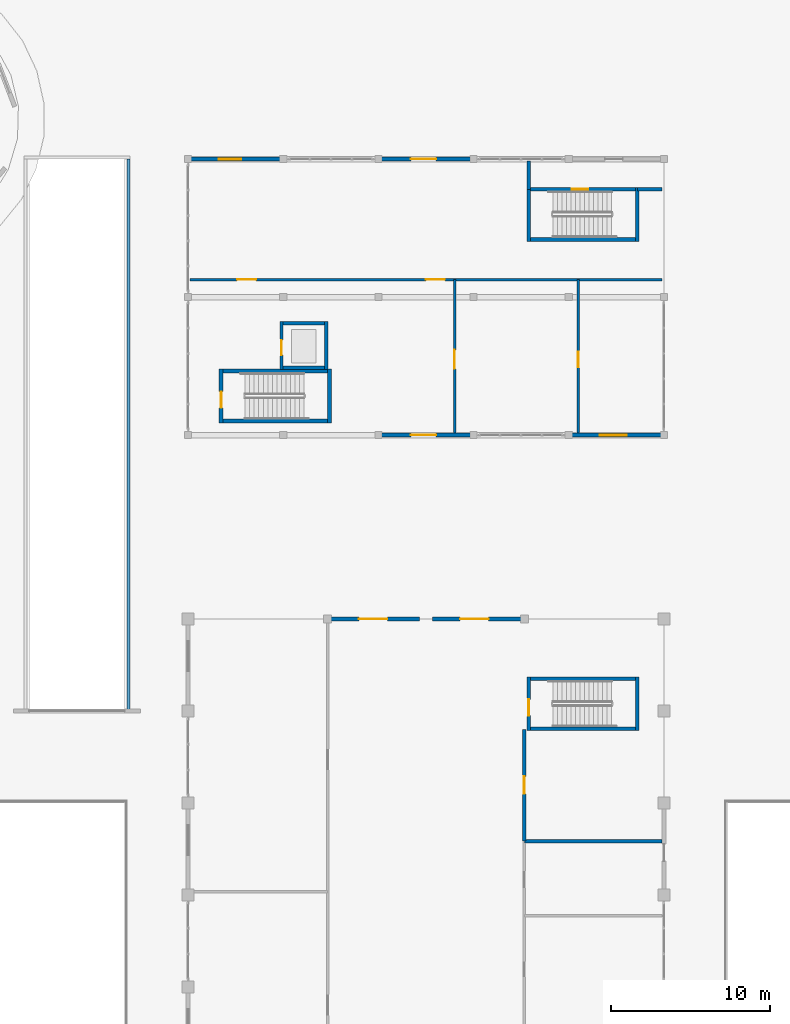
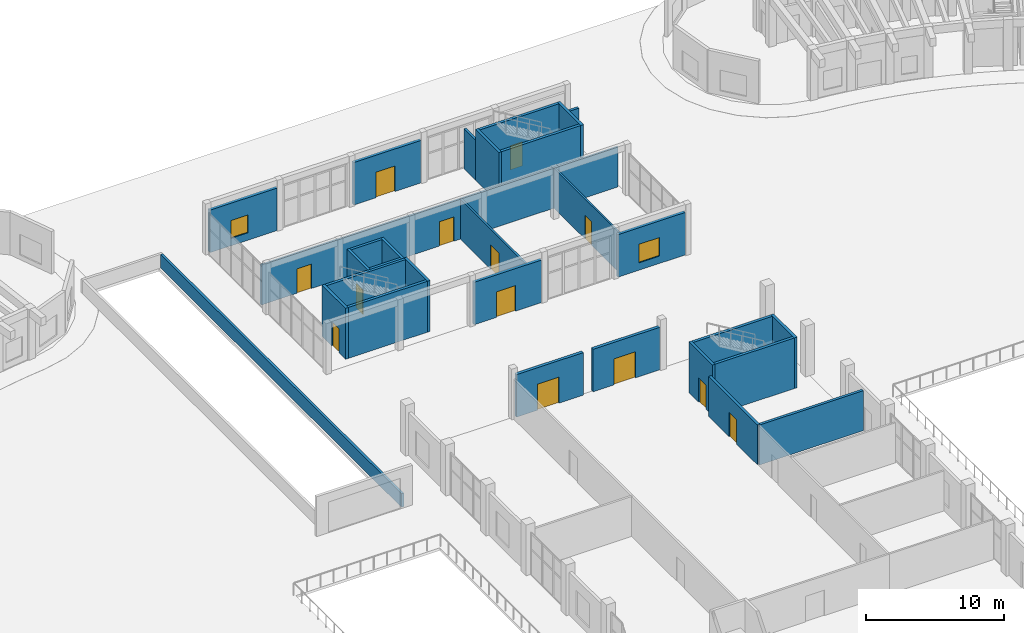
# One storey, part 98 of 132: 30 walls, 13 doors, 2 windows, 15 openings.
"""IFC4 building model written with IfcOpenShell, lengths in metres."""

import ifcopenshell
import ifcopenshell.guid

model = None  # the IFC model being written
_history = None  # IfcOwnerHistory: only IFC2X3 demands one
_inside = {}  # id of a spatial element -> (the spatial element, [elements in it])
_under = {}  # id of a project, library or spatial element -> (it, [spatial elements below it])
_declared = {}  # id of a project -> (the project, [libraries it declares])
_typed = {}  # id of a type object -> (the type object, [elements of that type])
_made_of = {}  # id of a material, layer set ... -> (it, [elements and type objects made of it])


def new_model(schema):
    """Start an empty IFC model of exactly this schema.

    Asked for "IFC4X3", IfcOpenShell would pick the latest addendum, in which some entities
    have other attributes; the version numbers below select the first issue.
    IFC2X3 requires an IfcOwnerHistory on every rooted entity: one is made here for all.
    """
    global model, _history
    if schema == "IFC4X3":
        model = ifcopenshell.file(schema_version=(4, 3, 0, 0))
    else:
        model = ifcopenshell.file(schema=schema)
    _inside.clear()
    _under.clear()
    _declared.clear()
    _typed.clear()
    _made_of.clear()
    _history = None
    if model.schema == "IFC2X3":
        org = make("IfcOrganization", Name="unknown")
        user = make(
            "IfcPersonAndOrganization",
            ThePerson=make("IfcPerson", FamilyName="unknown"),
            TheOrganization=org,
        )
        app = make(
            "IfcApplication",
            ApplicationDeveloper=org,
            Version="unknown",
            ApplicationFullName="unknown",
            ApplicationIdentifier="unknown",
        )
        _history = make(
            "IfcOwnerHistory",
            OwningUser=user,
            OwningApplication=app,
            ChangeAction="ADDED",
            CreationDate=0,
        )
    return model


def make(cls, **values):
    """One entity of the class cls with the attributes given. An attribute that is None is left unset."""
    return model.create_entity(
        cls, **{name: value for name, value in values.items() if value is not None}
    )


def rooted(cls, **values):
    """An entity with a GlobalId (a new one), such as an element, a storey or a relation."""
    return make(cls, GlobalId=ifcopenshell.guid.new(), OwnerHistory=_history, **values)


def si_unit(unit_type, name, prefix=None):
    """IfcSIUnit, for example si_unit("LENGTHUNIT", "METRE", prefix="MILLI")."""
    return make("IfcSIUnit", UnitType=unit_type, Prefix=prefix, Name=name)


def assignment(units):
    """IfcUnitAssignment: the units of a project."""
    return None if units is None else make("IfcUnitAssignment", Units=units)


def point(xyz):
    """IfcCartesianPoint."""
    return None if xyz is None else make("IfcCartesianPoint", Coordinates=xyz)


def direction(xyz):
    """IfcDirection."""
    return None if xyz is None else make("IfcDirection", DirectionRatios=xyz)


def frame(location, z_axis=None, x_axis=None):
    """IfcAxis2Placement3D, a coordinate frame: its origin and axes. An axis left out is left unset."""
    return make(
        "IfcAxis2Placement3D",
        Location=point(location),
        Axis=direction(z_axis),
        RefDirection=direction(x_axis),
    )


def frame_2d(location, x_axis=None):
    """IfcAxis2Placement2D, a coordinate frame in the plane: its origin and x axis."""
    return make(
        "IfcAxis2Placement2D", Location=point(location), RefDirection=direction(x_axis)
    )


def origin():
    """The frame at (0, 0, 0) with its axes left unset."""
    return frame((0.0, 0.0, 0.0))


def place(relative_to, where):
    """IfcLocalPlacement: puts the frame where relative to a parent placement (None: the world)."""
    return make(
        "IfcLocalPlacement", PlacementRelTo=relative_to, RelativePlacement=where
    )


def context(
    kind, dimensions, precision=None, world=None, true_north=None, identifier=None
):
    """IfcGeometricRepresentationContext, for example the 3D "Model" context."""
    return make(
        "IfcGeometricRepresentationContext",
        ContextIdentifier=identifier,
        ContextType=kind,
        CoordinateSpaceDimension=dimensions,
        Precision=precision,
        WorldCoordinateSystem=world,
        TrueNorth=true_north,
    )


def subcontext(parent, identifier, kind, view, scale=None):
    """IfcGeometricRepresentationSubContext, for example "Body" below "Model"."""
    return make(
        "IfcGeometricRepresentationSubContext",
        ContextIdentifier=identifier,
        ContextType=kind,
        ParentContext=parent,
        TargetScale=scale,
        TargetView=view,
    )


def project(units=None, contexts=None):
    """IfcProject with its units and contexts."""
    return rooted(
        "IfcProject",
        Name="project",
        RepresentationContexts=contexts,
        UnitsInContext=assignment(units),
    )


def spatial(cls, under=None, at=None, **own):
    """A site, building, storey or space (cls), placed at a placement, below another one or the project."""
    s = rooted(cls, ObjectPlacement=at, **own)
    if under is not None:
        _under.setdefault(under.id(), (under, []))[1].append(s)
    return s


def profile(cls, at=None, kind="AREA", **sizes):
    """A parametric profile (cls). Its sizes go by their IFC names, for example OverallWidth=200.0."""
    return make(cls, ProfileType=kind, Position=at, **sizes)


def rectangle(**sizes):
    """IfcRectangleProfileDef."""
    return profile("IfcRectangleProfileDef", **sizes)


def extrude(swept, where, along, depth):
    """IfcExtrudedAreaSolid: the profile swept, set in the frame where, extruded along a direction by depth."""
    return make(
        "IfcExtrudedAreaSolid",
        SweptArea=swept,
        Position=where,
        ExtrudedDirection=direction(along),
        Depth=depth,
    )


def shape(context_of_items, identifier, shape_type, items):
    """IfcShapeRepresentation: the items that make up one representation, for example the "Body"."""
    return make(
        "IfcShapeRepresentation",
        ContextOfItems=context_of_items,
        RepresentationIdentifier=identifier,
        RepresentationType=shape_type,
        Items=items,
    )


def material(Name=None, Category=None):
    """IfcMaterial."""
    return make("IfcMaterial", Name=Name, Category=Category)


def layer(
    of_material, thickness, ventilated=None, Name=None, Category=None, Priority=None
):
    """IfcMaterialLayer: one layer of a wall or slab, of a material (None: an air gap)."""
    return make(
        "IfcMaterialLayer",
        Material=of_material,
        LayerThickness=thickness,
        IsVentilated=ventilated,
        Name=Name,
        Category=Category,
        Priority=Priority,
    )


def layer_set(layers, Name=None):
    """IfcMaterialLayerSet."""
    return make("IfcMaterialLayerSet", MaterialLayers=layers, LayerSetName=Name)


def made_of(thing, what):
    """Note that an element or type object is made of a material, layer set ...; save() writes the relation."""
    if what is not None:
        _made_of.setdefault(what.id(), (what, []))[1].append(thing)
    return thing


def type_object(cls, material=None, **own):
    """A type object (cls), such as IfcWallType, which elements share."""
    return made_of(rooted(cls, **own), material)


def element(
    cls,
    number,
    at=None,
    inside=None,
    cuts=None,
    type_object=None,
    material=None,
    context=None,
    identifier="Body",
    shape_type=None,
    held_by="IfcProductDefinitionShape",
    body=None,
    shapes=None,
    **own,
):
    """One element of the class cls, such as IfcWall. Its Tag is "e" and its number.

    at: its placement. inside: the storey or other place that contains it. cuts: it is an
    opening in that element (IfcRelVoidsElement). A single representation is given by context,
    identifier, shape_type and body (its items); several are given by shapes. held_by: the class
    of the entity that holds the representations. save() writes the other relations.
    """
    e = rooted(cls, Tag="e%d" % number, ObjectPlacement=at, **own)
    if body is not None:
        shapes = [shape(context, identifier, shape_type, body)]
    if shapes is not None:
        e.Representation = make(held_by, Representations=shapes)
    if inside is not None:
        _inside.setdefault(inside.id(), (inside, []))[1].append(e)
    if cuts is not None:
        rooted(
            "IfcRelVoidsElement", RelatingBuildingElement=cuts, RelatedOpeningElement=e
        )
    if type_object is not None:
        _typed.setdefault(type_object.id(), (type_object, []))[1].append(e)
    return made_of(e, material)


def fill(opening, filler):
    """IfcRelFillsElement: the door or window that sits in an opening."""
    return rooted(
        "IfcRelFillsElement",
        RelatingOpeningElement=opening,
        RelatedBuildingElement=filler,
    )


def aggregate(whole, parts):
    """IfcRelAggregates: a whole, such as a stair, and the parts it consists of."""
    return rooted("IfcRelAggregates", RelatingObject=whole, RelatedObjects=parts)


def save(model, path):
    """Write the relations noted so far, then the file.

    IfcRelAggregates (storeys below a building ...), IfcRelContainedInSpatialStructure (elements
    in a storey), IfcRelDefinesByType, IfcRelAssociatesMaterial and IfcRelDeclares: one each for
    every whole, place, type object, material and project.
    """
    for whole, parts in _under.values():
        aggregate(whole, parts)
    for where, things in _inside.values():
        rooted(
            "IfcRelContainedInSpatialStructure",
            RelatedElements=things,
            RelatingStructure=where,
        )
    for kind, things in _typed.values():
        rooted("IfcRelDefinesByType", RelatedObjects=things, RelatingType=kind)
    for what, things in _made_of.values():
        rooted("IfcRelAssociatesMaterial", RelatedObjects=things, RelatingMaterial=what)
    for by, libraries in _declared.values():
        rooted("IfcRelDeclares", RelatingContext=by, RelatedDefinitions=libraries)
    model.write(path)


model = new_model("IFC4")

# Units and contexts
model_context = context("Model", 3, precision=1e-05, world=origin(), true_north=direction((0.0, 1.0)))
body_context = subcontext(model_context, "Body", "Model", "MODEL_VIEW")
ifc_project = project(units=[si_unit("LENGTHUNIT", "METRE"), si_unit("AREAUNIT", "SQUARE_METRE"), si_unit("VOLUMEUNIT", "CUBIC_METRE"), si_unit("PLANEANGLEUNIT", "RADIAN"), si_unit("MASSUNIT", "GRAM", prefix="KILO")], contexts=[model_context])

# Site, building, storey
site_placement = place(None, origin())
site = spatial("IfcSite", under=ifc_project, at=site_placement, CompositionType="ELEMENT")
building_placement = place(site_placement, origin())
building = spatial("IfcBuilding", under=site, at=building_placement, Name="Tanwirah Colonnade Gardens", CompositionType="ELEMENT")
storey_placement = place(building_placement, origin())
storey = spatial("IfcBuildingStorey", under=building, at=storey_placement, Name="L00", CompositionType="ELEMENT", Elevation=0.0)

# Wall
ifc_material_1 = material(Name="Limestone architectural precast concrete C40/50", Category="masonry")
ifc_layer_1 = layer(ifc_material_1, 0.199951171875)
ifc_layer_set_1 = layer_set([ifc_layer_1], Name="Limestone architectural precast concrete C40/50")
wall_type_1 = type_object("IfcWallType", Name="EW-PAR200", PredefinedType="PARAPET", material=ifc_layer_set_1)
wall_1_placement = place(storey_placement, frame((74.25, 74.60009765625, 0.0), z_axis=(0.0, 0.0, 1.0), x_axis=(0.0, 1.0, 0.0)))
element("IfcWall", 1, at=wall_1_placement, inside=storey, type_object=wall_type_1, Name="Basement Ramp Kerb Guard Wall E", PredefinedType="PARAPET", context=body_context, shape_type="SweptSolid", body=[
    extrude(rectangle(XDim=34.7998046875, YDim=0.199951171875, at=frame_2d((17.39990234375, 0.0))), origin(), (0.0, 0.0, 1.0), 1.199951171875),
])

# Wall, opening, door
ifc_layer_2 = layer(ifc_material_1, 0.25)
ifc_layer_set_2 = layer_set([ifc_layer_2], Name="Limestone architectural precast concrete C40/50")
wall_type_2 = type_object("IfcWallType", Name="EW-PAV250", PredefinedType="SOLIDWALL", material=ifc_layer_set_2)
wall_2_placement = place(storey_placement, frame((87.02001953125, 80.39990234375, 0.0), z_axis=(0.0, 0.0, 1.0), x_axis=(1.0, 0.0, 0.0)))
wall_2 = element("IfcWall", 2, at=wall_2_placement, inside=storey, type_object=wall_type_2, Name="Community Hall N Portico Wall 1", PredefinedType="SOLIDWALL", context=body_context, shape_type="SweptSolid", body=[
    extrude(rectangle(XDim=5.580078125, YDim=0.25, at=frame_2d((2.7900390625, 0.0))), origin(), (0.0, 0.0, 1.0), 3.75),
])
opening_1_placement = place(wall_2_placement, frame((1.75, 0.0, 0.0)))
opening_1 = element("IfcOpeningElement", 3, at=opening_1_placement, cuts=wall_2, Name="Opening L00-ED219", PredefinedType="OPENING", context=body_context, shape_type="SweptSolid", body=[
    extrude(rectangle(XDim=1.800048828125, YDim=2.300048828125, at=frame_2d((0.89990234375, 1.14990234375))), frame((0.0, 0.135009765625, 0.0), z_axis=(0.0, -1.0, 0.0), x_axis=(1.0, 0.0, 0.0)), (0.0, 0.0, 1.0), 0.27001953125),
])
ifc_material_2 = material(Name="Bronze architectural aluminium and safety glass", Category="aluminium")
door_type_1 = type_object("IfcDoorType", Name="ED-ENT18", OperationType="DOUBLE_DOOR_SINGLE_SWING", PredefinedType="DOOR", material=ifc_material_2)
door_1_placement = place(opening_1_placement, origin())
door_1 = element("IfcDoor", 4, at=door_1_placement, inside=storey, type_object=door_type_1, Name="Community Hall Main Entrance L00-ED219", OperationType="DOUBLE_DOOR_SINGLE_SWING", OverallHeight=2.300048828125, OverallWidth=1.800048828125, PredefinedType="DOOR", context=body_context, shape_type="SweptSolid", body=[
    extrude(rectangle(XDim=1.800048828125, YDim=2.300048828125, at=frame_2d((0.89990234375, 1.14990234375))), frame((0.0, 0.02490234375, 0.0), z_axis=(0.0, -1.0, 0.0), x_axis=(1.0, 0.0, 0.0)), (0.0, 0.0, 1.0), 0.050048828125),
])
fill(opening_1, door_1)

wall_3_placement = place(storey_placement, frame((93.39990234375, 80.39990234375, 0.0), z_axis=(0.0, 0.0, 1.0), x_axis=(1.0, 0.0, 0.0)))
wall_3 = element("IfcWall", 5, at=wall_3_placement, inside=storey, type_object=wall_type_2, Name="Community Hall N Portico Wall 2", PredefinedType="SOLIDWALL", context=body_context, shape_type="SweptSolid", body=[
    extrude(rectangle(XDim=5.580078125, YDim=0.25, at=frame_2d((2.7900390625, 0.0))), origin(), (0.0, 0.0, 1.0), 3.75),
])
opening_2_placement = place(wall_3_placement, frame((1.75, 0.0, 0.0)))
opening_2 = element("IfcOpeningElement", 6, at=opening_2_placement, cuts=wall_3, Name="Opening L00-ED220", PredefinedType="OPENING", context=body_context, shape_type="SweptSolid", body=[
    extrude(rectangle(XDim=1.800048828125, YDim=2.300048828125, at=frame_2d((0.89990234375, 1.14990234375))), frame((0.0, 0.135009765625, 0.0), z_axis=(0.0, -1.0, 0.0), x_axis=(1.0, 0.0, 0.0)), (0.0, 0.0, 1.0), 0.27001953125),
])
door_2_placement = place(opening_2_placement, origin())
door_2 = element("IfcDoor", 7, at=door_2_placement, inside=storey, type_object=door_type_1, Name="Community Hall Main Entrance L00-ED220", OperationType="DOUBLE_DOOR_SINGLE_SWING", OverallHeight=2.300048828125, OverallWidth=1.800048828125, PredefinedType="DOOR", context=body_context, shape_type="SweptSolid", body=[
    extrude(rectangle(XDim=1.800048828125, YDim=2.300048828125, at=frame_2d((0.89990234375, 1.14990234375))), frame((0.0, 0.02490234375, 0.0), z_axis=(0.0, -1.0, 0.0), x_axis=(1.0, 0.0, 0.0)), (0.0, 0.0, 1.0), 0.050048828125),
])
fill(opening_2, door_2)

ifc_layer_3 = layer(ifc_material_1, 0.239990234375)
ifc_layer_set_3 = layer_set([ifc_layer_3], Name="Limestone architectural precast concrete C40/50")
wall_type_3 = type_object("IfcWallType", Name="EW-PC240", PredefinedType="SOLIDWALL", material=ifc_layer_set_3)
wall_4_placement = place(storey_placement, frame((90.195068359375, 92.0, 0.0), z_axis=(0.0, 0.0, 1.0), x_axis=(1.0, 0.0, 0.0)))
wall_4 = element("IfcWall", 8, at=wall_4_placement, inside=storey, type_object=wall_type_3, Name="Nursery L00 S Wall 2", PredefinedType="SOLIDWALL", context=body_context, shape_type="SweptSolid", body=[
    extrude(rectangle(XDim=5.60986328125, YDim=0.239990234375, at=frame_2d((2.804931640625, 0.0))), origin(), (0.0, 0.0, 1.0), 3.75),
])
opening_3_placement = place(wall_4_placement, frame((1.85009765625, 0.0, 0.0)))
opening_3 = element("IfcOpeningElement", 9, at=opening_3_placement, cuts=wall_4, Name="Opening L00-ED221", PredefinedType="OPENING", context=body_context, shape_type="SweptSolid", body=[
    extrude(rectangle(XDim=1.60009765625, YDim=2.25, at=frame_2d((0.800048828125, 1.125))), frame((0.0, 0.1298828125, 0.0), z_axis=(0.0, -1.0, 0.0), x_axis=(1.0, 0.0, 0.0)), (0.0, 0.0, 1.0), 0.260009765625),
])
door_type_2 = type_object("IfcDoorType", Name="ED-ENT16", OperationType="DOUBLE_DOOR_SINGLE_SWING", PredefinedType="DOOR", material=ifc_material_2)
door_3_placement = place(opening_3_placement, origin())
door_3 = element("IfcDoor", 10, at=door_3_placement, inside=storey, type_object=door_type_2, Name="Nursery Entrance Door L00-ED221", OperationType="DOUBLE_DOOR_SINGLE_SWING", OverallHeight=2.25, OverallWidth=1.60009765625, PredefinedType="DOOR", context=body_context, shape_type="SweptSolid", body=[
    extrude(rectangle(XDim=1.60009765625, YDim=2.25, at=frame_2d((0.800048828125, 1.125))), frame((0.0, 0.02490234375, 0.0), z_axis=(0.0, -1.0, 0.0), x_axis=(1.0, 0.0, 0.0)), (0.0, 0.0, 1.0), 0.050048828125),
])
fill(opening_3, door_3)

# Wall, opening, window
wall_5_placement = place(storey_placement, frame((102.195068359375, 92.0, 0.0), z_axis=(0.0, 0.0, 1.0), x_axis=(1.0, 0.0, 0.0)))
wall_5 = element("IfcWall", 11, at=wall_5_placement, inside=storey, type_object=wall_type_3, Name="Nursery L00 S Wall 4", PredefinedType="SOLIDWALL", context=body_context, shape_type="SweptSolid", body=[
    extrude(rectangle(XDim=5.60986328125, YDim=0.239990234375, at=frame_2d((2.804931640625, 0.0))), origin(), (0.0, 0.0, 1.0), 3.75),
])
opening_4_placement = place(wall_5_placement, frame((1.75, 0.0, 0.64990234375)))
opening_4 = element("IfcOpeningElement", 12, at=opening_4_placement, cuts=wall_5, Name="Opening WIN-NUR2", PredefinedType="OPENING", context=body_context, shape_type="SweptSolid", body=[
    extrude(rectangle(XDim=1.719970703125, YDim=1.639892578125, at=frame_2d((0.85986328125, 0.81982421875))), frame((0.0, 0.1298828125, 0.0), z_axis=(0.0, -1.0, 0.0), x_axis=(1.0, 0.0, 0.0)), (0.0, 0.0, 1.0), 0.260009765625),
])
ifc_material_3 = material(Name="Thermally broken bronze aluminium and solar low-E double glazing", Category="aluminium")
window_type_1 = type_object("IfcWindowType", Name="WIN-NUR2", PartitioningType="DOUBLE_PANEL_VERTICAL", PredefinedType="WINDOW", material=ifc_material_3)
window_1_placement = place(opening_4_placement, origin())
window_1 = element("IfcWindow", 13, at=window_1_placement, inside=storey, type_object=window_type_1, Name="Nursery Window S-4", OverallHeight=1.639892578125, OverallWidth=1.719970703125, PartitioningType="SINGLE_PANEL", PredefinedType="WINDOW", context=body_context, shape_type="SweptSolid", body=[
    extrude(rectangle(XDim=1.719970703125, YDim=1.639892578125, at=frame_2d((0.85986328125, 0.81982421875))), frame((0.0, 0.030029296875, 0.0), z_axis=(0.0, -1.0, 0.0), x_axis=(1.0, 0.0, 0.0)), (0.0, 0.0, 1.0), 0.06005859375),
])
fill(opening_4, window_1)

wall_6_placement = place(storey_placement, frame((78.195068359375, 109.39990234375, 0.0), z_axis=(0.0, 0.0, 1.0), x_axis=(1.0, 0.0, 0.0)))
wall_6 = element("IfcWall", 14, at=wall_6_placement, inside=storey, type_object=wall_type_3, Name="Nursery L00 N Wall 0", PredefinedType="SOLIDWALL", context=body_context, shape_type="SweptSolid", body=[
    extrude(rectangle(XDim=5.60986328125, YDim=0.239990234375, at=frame_2d((2.804931640625, 0.0))), origin(), (0.0, 0.0, 1.0), 3.75),
])
opening_5_placement = place(wall_6_placement, frame((1.75, 0.0, 0.64990234375)))
opening_5 = element("IfcOpeningElement", 15, at=opening_5_placement, cuts=wall_6, Name="Opening WIN-NUR1", PredefinedType="OPENING", context=body_context, shape_type="SweptSolid", body=[
    extrude(rectangle(XDim=1.419921875, YDim=1.580078125, at=frame_2d((0.7099609375, 0.7900390625))), frame((0.0, 0.1298828125, 0.0), z_axis=(0.0, -1.0, 0.0), x_axis=(1.0, 0.0, 0.0)), (0.0, 0.0, 1.0), 0.260009765625),
])
window_type_2 = type_object("IfcWindowType", Name="WIN-NUR1", PartitioningType="DOUBLE_PANEL_VERTICAL", PredefinedType="WINDOW", material=ifc_material_3)
window_2_placement = place(opening_5_placement, origin())
window_2 = element("IfcWindow", 16, at=window_2_placement, inside=storey, type_object=window_type_2, Name="Nursery Window N-0", OverallHeight=1.580078125, OverallWidth=1.419921875, PartitioningType="SINGLE_PANEL", PredefinedType="WINDOW", context=body_context, shape_type="SweptSolid", body=[
    extrude(rectangle(XDim=1.419921875, YDim=1.580078125, at=frame_2d((0.7099609375, 0.7900390625))), frame((0.0, 0.030029296875, 0.0), z_axis=(0.0, -1.0, 0.0), x_axis=(1.0, 0.0, 0.0)), (0.0, 0.0, 1.0), 0.06005859375),
])
fill(opening_5, window_2)

# Wall, opening, door
wall_7_placement = place(storey_placement, frame((90.195068359375, 109.39990234375, 0.0), z_axis=(0.0, 0.0, 1.0), x_axis=(1.0, 0.0, 0.0)))
wall_7 = element("IfcWall", 17, at=wall_7_placement, inside=storey, type_object=wall_type_3, Name="Nursery L00 N Wall 2", PredefinedType="SOLIDWALL", context=body_context, shape_type="SweptSolid", body=[
    extrude(rectangle(XDim=5.60986328125, YDim=0.239990234375, at=frame_2d((2.804931640625, 0.0))), origin(), (0.0, 0.0, 1.0), 3.75),
])
opening_6_placement = place(wall_7_placement, frame((1.85009765625, 0.0, 0.0)))
opening_6 = element("IfcOpeningElement", 18, at=opening_6_placement, cuts=wall_7, Name="Opening L00-ED222", PredefinedType="OPENING", context=body_context, shape_type="SweptSolid", body=[
    extrude(rectangle(XDim=1.60009765625, YDim=2.25, at=frame_2d((0.800048828125, 1.125))), frame((0.0, 0.1298828125, 0.0), z_axis=(0.0, -1.0, 0.0), x_axis=(1.0, 0.0, 0.0)), (0.0, 0.0, 1.0), 0.260009765625),
])
door_4_placement = place(opening_6_placement, origin())
door_4 = element("IfcDoor", 19, at=door_4_placement, inside=storey, type_object=door_type_2, Name="Nursery Entrance Door L00-ED222", OperationType="DOUBLE_DOOR_SINGLE_SWING", OverallHeight=2.25, OverallWidth=1.60009765625, PredefinedType="DOOR", context=body_context, shape_type="SweptSolid", body=[
    extrude(rectangle(XDim=1.60009765625, YDim=2.25, at=frame_2d((0.800048828125, 1.125))), frame((0.0, 0.02490234375, 0.0), z_axis=(0.0, -1.0, 0.0), x_axis=(1.0, 0.0, 0.0)), (0.0, 0.0, 1.0), 0.050048828125),
])
fill(opening_6, door_4)

# Walls
ifc_material_4 = material(Name="Precast concrete C40/50", Category="concrete")
ifc_layer_4 = layer(ifc_material_4, 0.205078125)
ifc_layer_set_4 = layer_set([ifc_layer_4], Name="Precast concrete C40/50")
wall_type_4 = type_object("IfcWallType", Name="IW-CORR205", PredefinedType="PARTITIONING", material=ifc_layer_set_4)
wall_8_placement = place(storey_placement, frame((99.47998046875, 107.489990234375, 0.0), z_axis=(0.0, 0.0, 1.0), x_axis=(0.0, 1.0, 0.0)))
element("IfcWall", 20, at=wall_8_placement, inside=storey, type_object=wall_type_4, Name="Interior Partition IW-NUR-EXIT-W", PredefinedType="PARTITIONING", context=body_context, shape_type="SweptSolid", body=[
    extrude(rectangle(XDim=1.7900390625, YDim=0.205078125, at=frame_2d((0.89501953125, 0.0))), origin(), (0.0, 0.0, 1.0), 3.52001953125),
])
wall_9_placement = place(storey_placement, frame((106.320068359375, 107.489990234375, 0.0), z_axis=(0.0, 0.0, 1.0), x_axis=(1.0, 0.0, 0.0)))
element("IfcWall", 21, at=wall_9_placement, inside=storey, type_object=wall_type_4, Name="Interior Partition IW-NUR-EXIT-E", PredefinedType="PARTITIONING", context=body_context, shape_type="SweptSolid", body=[
    extrude(rectangle(XDim=1.559814453125, YDim=0.205078125, at=frame_2d((0.77978515625, 0.0))), origin(), (0.0, 0.0, 1.0), 3.52001953125),
])

# Wall, opening, door
ifc_material_5 = material(Name="Autoclaved aerated masonry blockwork", Category="masonry")
ifc_layer_5 = layer(ifc_material_5, 0.219970703125)
ifc_layer_set_5 = layer_set([ifc_layer_5], Name="Autoclaved aerated masonry blockwork")
wall_type_5 = type_object("IfcWallType", Name="IW-FFL220", PredefinedType="PARTITIONING", material=ifc_layer_set_5)
wall_10_placement = place(storey_placement, frame((99.199951171875, 66.39990234375, 0.0), z_axis=(0.0, 0.0, 1.0), x_axis=(0.0, 1.0, 0.0)))
wall_10 = element("IfcWall", 22, at=wall_10_placement, inside=storey, type_object=wall_type_5, Name="Interior Partition IW-HALL-SPINE-FCC", PredefinedType="PARTITIONING", context=body_context, shape_type="SweptSolid", body=[
    extrude(rectangle(XDim=7.050048828125, YDim=0.219970703125, at=frame_2d((3.52490234375, 0.0))), origin(), (0.0, 0.0, 1.0), 3.52001953125),
])
opening_7_placement = place(wall_10_placement, frame((2.97509765625, 0.0, 0.0)))
opening_7 = element("IfcOpeningElement", 23, at=opening_7_placement, cuts=wall_10, Name="Opening L00-VD1955", PredefinedType="OPENING", context=body_context, shape_type="SweptSolid", body=[
    extrude(rectangle(XDim=1.10009765625, YDim=2.14990234375, at=frame_2d((0.550048828125, 1.074951171875))), frame((0.0, 0.119873046875, 0.0), z_axis=(0.0, -1.0, 0.0), x_axis=(1.0, 0.0, 0.0)), (0.0, 0.0, 1.0), 0.239990234375),
])
ifc_material_6 = material(Name="Galvanized steel plant room fire door", Category="steel")
door_type_3 = type_object("IfcDoorType", Name="ID-PLT11", OperationType="NOTDEFINED", PredefinedType="DOOR", material=ifc_material_6)
door_5_placement = place(opening_7_placement, origin())
door_5 = element("IfcDoor", 24, at=door_5_placement, inside=storey, type_object=door_type_3, Name="Civic interior door L00-VD1955", OperationType="SINGLE_SWING_LEFT", OverallHeight=2.14990234375, OverallWidth=1.10009765625, PredefinedType="DOOR", context=body_context, shape_type="SweptSolid", body=[
    extrude(rectangle(XDim=1.10009765625, YDim=2.14990234375, at=frame_2d((0.550048828125, 1.074951171875))), frame((0.0, 0.02490234375, 0.0), z_axis=(0.0, -1.0, 0.0), x_axis=(1.0, 0.0, 0.0)), (0.0, 0.0, 1.0), 0.050048828125),
])
fill(opening_7, door_5)

# Wall
wall_11_placement = place(storey_placement, frame((99.199951171875, 66.39990234375, 0.0), z_axis=(0.0, 0.0, 1.0), x_axis=(1.0, 0.0, 0.0)))
element("IfcWall", 25, at=wall_11_placement, inside=storey, type_object=wall_type_5, Name="Interior Partition IW-HALL-FCC", PredefinedType="PARTITIONING", context=body_context, shape_type="SweptSolid", body=[
    extrude(rectangle(XDim=8.679931640625, YDim=0.219970703125, at=frame_2d((4.33984375, 0.0))), origin(), (0.0, 0.0, 1.0), 3.52001953125),
])

# Wall, openings, doors
ifc_material_7 = material(Name="Fire-rated acoustic blockwork partition", Category="masonry")
ifc_layer_6 = layer(ifc_material_7, 0.159912109375)
ifc_layer_set_6 = layer_set([ifc_layer_6], Name="Fire-rated acoustic blockwork partition")
wall_type_6 = type_object("IfcWallType", Name="IW-PAV160", PredefinedType="PARTITIONING", material=ifc_layer_set_6)
wall_12_placement = place(storey_placement, frame((78.1201171875, 101.800048828125, 0.0), z_axis=(0.0, 0.0, 1.0), x_axis=(1.0, 0.0, 0.0)))
wall_12 = element("IfcWall", 26, at=wall_12_placement, inside=storey, type_object=wall_type_6, Name="Interior Partition IW-NUR-SPINE0", PredefinedType="PARTITIONING", context=body_context, shape_type="SweptSolid", body=[
    extrude(rectangle(XDim=29.759765625, YDim=0.159912109375, at=frame_2d((14.8798828125, 0.0))), origin(), (0.0, 0.0, 1.0), 3.52001953125),
])
opening_8_placement = place(wall_12_placement, frame((2.97119140625, 0.0, 0.0)))
opening_8 = element("IfcOpeningElement", 27, at=opening_8_placement, cuts=wall_12, Name="Opening L00-VD1960", PredefinedType="OPENING", context=body_context, shape_type="SweptSolid", body=[
    extrude(rectangle(XDim=1.199951171875, YDim=2.14990234375, at=frame_2d((0.60009765625, 1.074951171875))), frame((0.0, 0.08984375, 0.0), z_axis=(0.0, -1.0, 0.0), x_axis=(1.0, 0.0, 0.0)), (0.0, 0.0, 1.0), 0.179931640625),
])
opening_9_placement = place(wall_12_placement, frame((14.875244140625, 0.0, 0.0)))
opening_9 = element("IfcOpeningElement", 28, at=opening_9_placement, cuts=wall_12, Name="Opening L00-VD1961", PredefinedType="OPENING", context=body_context, shape_type="SweptSolid", body=[
    extrude(rectangle(XDim=1.199951171875, YDim=2.14990234375, at=frame_2d((0.60009765625, 1.074951171875))), frame((0.0, 0.08984375, 0.0), z_axis=(0.0, -1.0, 0.0), x_axis=(1.0, 0.0, 0.0)), (0.0, 0.0, 1.0), 0.179931640625),
])
ifc_material_8 = material(Name="Acoustic classroom vision-panel door")
door_type_4 = type_object("IfcDoorType", Name="ID-NUR12", OperationType="NOTDEFINED", PredefinedType="DOOR", material=ifc_material_8)
door_6_placement = place(opening_8_placement, origin())
door_6 = element("IfcDoor", 29, at=door_6_placement, inside=storey, type_object=door_type_4, Name="Civic interior door L00-VD1960", OperationType="SINGLE_SWING_LEFT", OverallHeight=2.14990234375, OverallWidth=1.199951171875, PredefinedType="DOOR", context=body_context, shape_type="SweptSolid", body=[
    extrude(rectangle(XDim=1.199951171875, YDim=2.14990234375, at=frame_2d((0.60009765625, 1.074951171875))), frame((0.0, 0.02490234375, 0.0), z_axis=(0.0, -1.0, 0.0), x_axis=(1.0, 0.0, 0.0)), (0.0, 0.0, 1.0), 0.050048828125),
])
fill(opening_8, door_6)
door_7_placement = place(opening_9_placement, origin())
door_7 = element("IfcDoor", 30, at=door_7_placement, inside=storey, type_object=door_type_4, Name="Civic interior door L00-VD1961", OperationType="SINGLE_SWING_RIGHT", OverallHeight=2.14990234375, OverallWidth=1.199951171875, PredefinedType="DOOR", context=body_context, shape_type="SweptSolid", body=[
    extrude(rectangle(XDim=1.199951171875, YDim=2.14990234375, at=frame_2d((0.60009765625, 1.074951171875))), frame((0.0, 0.02490234375, 0.0), z_axis=(0.0, -1.0, 0.0), x_axis=(1.0, 0.0, 0.0)), (0.0, 0.0, 1.0), 0.050048828125),
])
fill(opening_9, door_7)

# Wall, opening, door
wall_13_placement = place(storey_placement, frame((94.800048828125, 92.1201171875, 0.0), z_axis=(0.0, 0.0, 1.0), x_axis=(0.0, 1.0, 0.0)))
wall_13 = element("IfcWall", 31, at=wall_13_placement, inside=storey, type_object=wall_type_6, Name="Interior Partition IW-NUR-CL1", PredefinedType="PARTITIONING", context=body_context, shape_type="SweptSolid", body=[
    extrude(rectangle(XDim=9.679931640625, YDim=0.159912109375, at=frame_2d((4.83984375, 0.0))), origin(), (0.0, 0.0, 1.0), 3.52001953125),
])
opening_10_placement = place(wall_13_placement, frame((4.04638671875, 0.0, 0.0)))
opening_10 = element("IfcOpeningElement", 32, at=opening_10_placement, cuts=wall_13, Name="Opening L00-VD1962", PredefinedType="OPENING", context=body_context, shape_type="SweptSolid", body=[
    extrude(rectangle(XDim=1.199951171875, YDim=2.14990234375, at=frame_2d((0.60009765625, 1.074951171875))), frame((0.0, 0.08984375, 0.0), z_axis=(0.0, -1.0, 0.0), x_axis=(1.0, 0.0, 0.0)), (0.0, 0.0, 1.0), 0.179931640625),
])
door_8_placement = place(opening_10_placement, origin())
door_8 = element("IfcDoor", 33, at=door_8_placement, inside=storey, type_object=door_type_4, Name="Civic interior door L00-VD1962", OperationType="SINGLE_SWING_RIGHT", OverallHeight=2.14990234375, OverallWidth=1.199951171875, PredefinedType="DOOR", context=body_context, shape_type="SweptSolid", body=[
    extrude(rectangle(XDim=1.199951171875, YDim=2.14990234375, at=frame_2d((0.60009765625, 1.074951171875))), frame((0.0, 0.02490234375, 0.0), z_axis=(0.0, -1.0, 0.0), x_axis=(1.0, 0.0, 0.0)), (0.0, 0.0, 1.0), 0.050048828125),
])
fill(opening_10, door_8)

ifc_material_9 = material(Name="Water-resistant acoustic plumbing partition")
ifc_layer_7 = layer(ifc_material_9, 0.139892578125)
ifc_layer_set_7 = layer_set([ifc_layer_7], Name="Water-resistant acoustic plumbing partition")
wall_type_7 = type_object("IfcWallType", Name="IW-WET140", PredefinedType="PLUMBINGWALL", material=ifc_layer_set_7)
wall_14_placement = place(storey_placement, frame((102.60009765625, 92.1201171875, 0.0), z_axis=(0.0, 0.0, 1.0), x_axis=(0.0, 1.0, 0.0)))
wall_14 = element("IfcWall", 34, at=wall_14_placement, inside=storey, type_object=wall_type_7, Name="Interior Partition IW-NUR-WC0", PredefinedType="PLUMBINGWALL", context=body_context, shape_type="SweptSolid", body=[
    extrude(rectangle(XDim=9.679931640625, YDim=0.139892578125, at=frame_2d((4.83984375, 0.0))), origin(), (0.0, 0.0, 1.0), 3.52001953125),
])
opening_11_placement = place(wall_14_placement, frame((4.16650390625, 0.0, 0.0)))
opening_11 = element("IfcOpeningElement", 35, at=opening_11_placement, cuts=wall_14, Name="Opening L00-VD1963", PredefinedType="OPENING", context=body_context, shape_type="SweptSolid", body=[
    extrude(rectangle(XDim=0.9599609375, YDim=2.10009765625, at=frame_2d((0.47998046875, 1.050048828125))), frame((0.0, 0.079833984375, 0.0), z_axis=(0.0, -1.0, 0.0), x_axis=(1.0, 0.0, 0.0)), (0.0, 0.0, 1.0), 0.159912109375),
])
ifc_material_10 = material(Name="Accessible toilet outward-opening door")
door_type_5 = type_object("IfcDoorType", Name="ID-AWC096", OperationType="NOTDEFINED", PredefinedType="DOOR", material=ifc_material_10)
door_9_placement = place(opening_11_placement, origin())
door_9 = element("IfcDoor", 36, at=door_9_placement, inside=storey, type_object=door_type_5, Name="Civic interior door L00-VD1963", OperationType="SINGLE_SWING_LEFT", OverallHeight=2.10009765625, OverallWidth=0.9599609375, PredefinedType="DOOR", context=body_context, shape_type="SweptSolid", body=[
    extrude(rectangle(XDim=0.9599609375, YDim=2.10009765625, at=frame_2d((0.47998046875, 1.050048828125))), frame((0.0, 0.02490234375, 0.0), z_axis=(0.0, -1.0, 0.0), x_axis=(1.0, 0.0, 0.0)), (0.0, 0.0, 1.0), 0.050048828125),
])
fill(opening_11, door_9)

# Walls
ifc_material_11 = material(Name="Concrete C45/55", Category="concrete")
ifc_layer_8 = layer(ifc_material_11, 0.235107421875)
ifc_layer_set_8 = layer_set([ifc_layer_8], Name="Concrete C45/55")
wall_type_8 = type_object("IfcWallType", Name="SW-CORE235", PredefinedType="SHEAR", material=ifc_layer_set_8)
wall_15_placement = place(storey_placement, frame((99.60009765625, 73.482421875, 0.0), z_axis=(0.0, 0.0, 1.0), x_axis=(1.0, 0.0, 0.0)))
element("IfcWall", 37, at=wall_15_placement, inside=storey, type_object=wall_type_8, Name="CORE-H2 L00 Stair Shaft Shear Wall LEFT", PredefinedType="SHEAR", context=body_context, shape_type="SweptSolid", body=[
    extrude(rectangle(XDim=6.599853515625, YDim=0.235107421875, at=frame_2d((3.2998046875, 0.0))), origin(), (0.0, 0.0, 1.0), 4.465087890625),
])
wall_16_placement = place(storey_placement, frame((106.3173828125, 73.364990234375, 0.0), z_axis=(0.0, 0.0, 1.0), x_axis=(0.0, 1.0, 0.0)))
element("IfcWall", 38, at=wall_16_placement, inside=storey, type_object=wall_type_8, Name="CORE-H2 L00 Stair Shaft Shear Wall FAR", PredefinedType="SHEAR", context=body_context, shape_type="SweptSolid", body=[
    extrude(rectangle(XDim=3.389892578125, YDim=0.235107421875, at=frame_2d((1.69482421875, 0.0))), origin(), (0.0, 0.0, 1.0), 4.465087890625),
])

# Wall, opening, door
wall_17_placement = place(storey_placement, frame((99.482421875, 73.364990234375, 0.0), z_axis=(0.0, 0.0, 1.0), x_axis=(0.0, 1.0, 0.0)))
wall_17 = element("IfcWall", 39, at=wall_17_placement, inside=storey, type_object=wall_type_8, Name="CORE-H2 L00 Stair Shaft Shear Wall NEAR", PredefinedType="SHEAR", context=body_context, shape_type="SweptSolid", body=[
    extrude(rectangle(XDim=3.389892578125, YDim=0.235107421875, at=frame_2d((1.69482421875, 0.0))), origin(), (0.0, 0.0, 1.0), 4.465087890625),
])
opening_12_placement = place(wall_17_placement, frame((0.949951171875, 0.0, 0.0)))
opening_12 = element("IfcOpeningElement", 40, at=opening_12_placement, cuts=wall_17, Name="Opening L00-SD211", PredefinedType="OPENING", context=body_context, shape_type="SweptSolid", body=[
    extrude(rectangle(XDim=1.02001953125, YDim=2.139892578125, at=frame_2d((0.510009765625, 1.06982421875))), frame((0.0, 0.12744140625, 0.0), z_axis=(0.0, -1.0, 0.0), x_axis=(1.0, 0.0, 0.0)), (0.0, 0.0, 1.0), 0.255126953125),
])
ifc_material_12 = material(Name="Steel fire-resisting stair enclosure door", Category="steel")
door_type_6 = type_object("IfcDoorType", Name="ID-ST102", OperationType="NOTDEFINED", PredefinedType="DOOR", material=ifc_material_12)
door_10_placement = place(opening_12_placement, origin())
door_10 = element("IfcDoor", 41, at=door_10_placement, inside=storey, type_object=door_type_6, Name="CORE-H2 L00 Stair Fire Door L00-SD211", OperationType="SINGLE_SWING_RIGHT", OverallHeight=2.139892578125, OverallWidth=1.02001953125, PredefinedType="DOOR", context=body_context, shape_type="SweptSolid", body=[
    extrude(rectangle(XDim=1.02001953125, YDim=2.139892578125, at=frame_2d((0.510009765625, 1.06982421875))), frame((0.0, 0.02490234375, 0.0), z_axis=(0.0, -1.0, 0.0), x_axis=(1.0, 0.0, 0.0)), (0.0, 0.0, 1.0), 0.050048828125),
])
fill(opening_12, door_10)

# Walls
wall_18_placement = place(storey_placement, frame((99.60009765625, 76.637451171875, 0.0), z_axis=(0.0, 0.0, 1.0), x_axis=(1.0, 0.0, 0.0)))
element("IfcWall", 42, at=wall_18_placement, inside=storey, type_object=wall_type_8, Name="CORE-H2 L00 Stair Shaft Shear Wall RIGHT", PredefinedType="SHEAR", context=body_context, shape_type="SweptSolid", body=[
    extrude(rectangle(XDim=6.599853515625, YDim=0.235107421875, at=frame_2d((3.2998046875, 0.0))), origin(), (0.0, 0.0, 1.0), 4.465087890625),
])
wall_19_placement = place(storey_placement, frame((80.199951171875, 92.882568359375, 0.0), z_axis=(0.0, 0.0, 1.0), x_axis=(1.0, 0.0, 0.0)))
element("IfcWall", 43, at=wall_19_placement, inside=storey, type_object=wall_type_8, Name="CORE-N1 L00 Stair Shaft Shear Wall LEFT", PredefinedType="SHEAR", context=body_context, shape_type="SweptSolid", body=[
    extrude(rectangle(XDim=6.60009765625, YDim=0.235107421875, at=frame_2d((3.300048828125, 0.0))), origin(), (0.0, 0.0, 1.0), 4.4951171875),
])
wall_20_placement = place(storey_placement, frame((86.91748046875, 92.764892578125, 0.0), z_axis=(0.0, 0.0, 1.0), x_axis=(0.0, 1.0, 0.0)))
element("IfcWall", 44, at=wall_20_placement, inside=storey, type_object=wall_type_8, Name="CORE-N1 L00 Stair Shaft Shear Wall FAR", PredefinedType="SHEAR", context=body_context, shape_type="SweptSolid", body=[
    extrude(rectangle(XDim=3.39013671875, YDim=0.235107421875, at=frame_2d((1.695068359375, 0.0))), origin(), (0.0, 0.0, 1.0), 4.4951171875),
])

# Wall, opening, door
wall_21_placement = place(storey_placement, frame((80.08251953125, 92.764892578125, 0.0), z_axis=(0.0, 0.0, 1.0), x_axis=(0.0, 1.0, 0.0)))
wall_21 = element("IfcWall", 45, at=wall_21_placement, inside=storey, type_object=wall_type_8, Name="CORE-N1 L00 Stair Shaft Shear Wall NEAR", PredefinedType="SHEAR", context=body_context, shape_type="SweptSolid", body=[
    extrude(rectangle(XDim=3.39013671875, YDim=0.235107421875, at=frame_2d((1.695068359375, 0.0))), origin(), (0.0, 0.0, 1.0), 4.4951171875),
])
opening_13_placement = place(wall_21_placement, frame((0.949951171875, 0.0, 0.0)))
opening_13 = element("IfcOpeningElement", 46, at=opening_13_placement, cuts=wall_21, Name="Opening L00-SD213", PredefinedType="OPENING", context=body_context, shape_type="SweptSolid", body=[
    extrude(rectangle(XDim=1.02001953125, YDim=2.139892578125, at=frame_2d((0.510009765625, 1.06982421875))), frame((0.0, 0.12744140625, 0.0), z_axis=(0.0, -1.0, 0.0), x_axis=(1.0, 0.0, 0.0)), (0.0, 0.0, 1.0), 0.255126953125),
])
door_11_placement = place(opening_13_placement, origin())
door_11 = element("IfcDoor", 47, at=door_11_placement, inside=storey, type_object=door_type_6, Name="CORE-N1 L00 Stair Fire Door L00-SD213", OperationType="SINGLE_SWING_RIGHT", OverallHeight=2.139892578125, OverallWidth=1.02001953125, PredefinedType="DOOR", context=body_context, shape_type="SweptSolid", body=[
    extrude(rectangle(XDim=1.02001953125, YDim=2.139892578125, at=frame_2d((0.510009765625, 1.06982421875))), frame((0.0, 0.02490234375, 0.0), z_axis=(0.0, -1.0, 0.0), x_axis=(1.0, 0.0, 0.0)), (0.0, 0.0, 1.0), 0.050048828125),
])
fill(opening_13, door_11)

# Walls
wall_22_placement = place(storey_placement, frame((80.199951171875, 96.03759765625, 0.0), z_axis=(0.0, 0.0, 1.0), x_axis=(1.0, 0.0, 0.0)))
element("IfcWall", 48, at=wall_22_placement, inside=storey, type_object=wall_type_8, Name="CORE-N1 L00 Stair Shaft Shear Wall RIGHT", PredefinedType="SHEAR", context=body_context, shape_type="SweptSolid", body=[
    extrude(rectangle(XDim=6.60009765625, YDim=0.235107421875, at=frame_2d((3.300048828125, 0.0))), origin(), (0.0, 0.0, 1.0), 4.4951171875),
])
wall_23_placement = place(storey_placement, frame((99.60009765625, 104.33251953125, 0.0), z_axis=(0.0, 0.0, 1.0), x_axis=(1.0, 0.0, 0.0)))
element("IfcWall", 49, at=wall_23_placement, inside=storey, type_object=wall_type_8, Name="CORE-N2 L00 Stair Shaft Shear Wall LEFT", PredefinedType="SHEAR", context=body_context, shape_type="SweptSolid", body=[
    extrude(rectangle(XDim=6.599853515625, YDim=0.235107421875, at=frame_2d((3.2998046875, 0.0))), origin(), (0.0, 0.0, 1.0), 4.4951171875),
])
for number, where, z_axis, x_axis, name in (
    (50, (106.3173828125, 104.215087890625, 0.0), (0.0, 0.0, 1.0), (0.0, 1.0, 0.0), "CORE-N2 L00 Stair Shaft Shear Wall FAR"),
    (51, (99.482421875, 104.215087890625, 0.0), (0.0, 0.0, 1.0), (0.0, 1.0, 0.0), "CORE-N2 L00 Stair Shaft Shear Wall NEAR"),
):
    element("IfcWall", number, at=place(storey_placement, frame(where, z_axis=z_axis, x_axis=x_axis)), inside=storey, type_object=wall_type_8, Name=name, PredefinedType="SHEAR", context=body_context, shape_type="SweptSolid", body=[
        extrude(rectangle(XDim=3.389892578125, YDim=0.235107421875, at=frame_2d((1.69482421875, 0.0))), origin(), (0.0, 0.0, 1.0), 4.4951171875),
    ])

# Wall, opening, door
wall_24_placement = place(storey_placement, frame((99.60009765625, 107.487548828125, 0.0), z_axis=(0.0, 0.0, 1.0), x_axis=(1.0, 0.0, 0.0)))
wall_24 = element("IfcWall", 52, at=wall_24_placement, inside=storey, type_object=wall_type_8, Name="CORE-N2 L00 Stair Shaft Shear Wall RIGHT", PredefinedType="SHEAR", context=body_context, shape_type="SweptSolid", body=[
    extrude(rectangle(XDim=6.599853515625, YDim=0.235107421875, at=frame_2d((3.2998046875, 0.0))), origin(), (0.0, 0.0, 1.0), 4.4951171875),
])
opening_14_placement = place(wall_24_placement, frame((2.60009765625, 0.0, 0.0)))
opening_14 = element("IfcOpeningElement", 53, at=opening_14_placement, cuts=wall_24, Name="Opening L00-SD215", PredefinedType="OPENING", context=body_context, shape_type="SweptSolid", body=[
    extrude(rectangle(XDim=1.02001953125, YDim=2.139892578125, at=frame_2d((0.510009765625, 1.06982421875))), frame((0.0, 0.12744140625, 0.0), z_axis=(0.0, -1.0, 0.0), x_axis=(1.0, 0.0, 0.0)), (0.0, 0.0, 1.0), 0.255126953125),
])
door_12_placement = place(opening_14_placement, origin())
door_12 = element("IfcDoor", 54, at=door_12_placement, inside=storey, type_object=door_type_6, Name="CORE-N2 L00 Stair Fire Door L00-SD215", OperationType="SINGLE_SWING_RIGHT", OverallHeight=2.139892578125, OverallWidth=1.02001953125, PredefinedType="DOOR", context=body_context, shape_type="SweptSolid", body=[
    extrude(rectangle(XDim=1.02001953125, YDim=2.139892578125, at=frame_2d((0.510009765625, 1.06982421875))), frame((0.0, 0.02490234375, 0.0), z_axis=(0.0, -1.0, 0.0), x_axis=(1.0, 0.0, 0.0)), (0.0, 0.0, 1.0), 0.050048828125),
])
fill(opening_14, door_12)

ifc_layer_9 = layer(ifc_material_11, 0.215087890625)
ifc_layer_set_9 = layer_set([ifc_layer_9], Name="Concrete C45/55")
wall_type_9 = type_object("IfcWallType", Name="SW-LIFT215", PredefinedType="SHEAR", material=ifc_layer_set_9)
wall_25_placement = place(storey_placement, frame((83.892578125, 96.135009765625, 0.0), z_axis=(0.0, 0.0, 1.0), x_axis=(0.0, 1.0, 0.0)))
wall_25 = element("IfcWall", 55, at=wall_25_placement, inside=storey, type_object=wall_type_9, Name="CORE-N1 L00 Lift Shaft Wall FRONT", PredefinedType="SHEAR", context=body_context, shape_type="SweptSolid", body=[
    extrude(rectangle(XDim=3.030029296875, YDim=0.215087890625, at=frame_2d((1.51513671875, 0.0))), origin(), (0.0, 0.0, 1.0), 4.4951171875),
])
opening_15_placement = place(wall_25_placement, frame((0.89990234375, 0.0, 0.0)))
opening_15 = element("IfcOpeningElement", 56, at=opening_15_placement, cuts=wall_25, Name="Opening L00-LD-PL-N1", PredefinedType="OPENING", context=body_context, shape_type="SweptSolid", body=[
    extrude(rectangle(XDim=0.949951171875, YDim=2.14990234375, at=frame_2d((0.47509765625, 1.074951171875))), frame((0.0, 0.117431640625, 0.0), z_axis=(0.0, -1.0, 0.0), x_axis=(1.0, 0.0, 0.0)), (0.0, 0.0, 1.0), 0.235107421875),
])
ifc_material_13 = material(Name="Stainless steel sliding pavilion lift landing door", Category="steel")
door_type_7 = type_object("IfcDoorType", Name="LD-PV095", OperationType="DOUBLE_DOOR_SLIDING", PredefinedType="DOOR", material=ifc_material_13)
door_13_placement = place(opening_15_placement, origin())
door_13 = element("IfcDoor", 57, at=door_13_placement, inside=storey, type_object=door_type_7, Name="Lift PL-N1 L00 Sliding Landing Door", OperationType="DOUBLE_DOOR_SLIDING", OverallHeight=2.14990234375, OverallWidth=0.949951171875, PredefinedType="DOOR", context=body_context, shape_type="SweptSolid", body=[
    extrude(rectangle(XDim=0.949951171875, YDim=2.14990234375, at=frame_2d((0.47509765625, 1.074951171875))), frame((0.0, 0.02490234375, 0.0), z_axis=(0.0, -1.0, 0.0), x_axis=(1.0, 0.0, 0.0)), (0.0, 0.0, 1.0), 0.050048828125),
])
fill(opening_15, door_13)

# Walls
wall_26_placement = place(storey_placement, frame((86.70751953125, 96.135009765625, 0.0), z_axis=(0.0, 0.0, 1.0), x_axis=(0.0, 1.0, 0.0)))
element("IfcWall", 58, at=wall_26_placement, inside=storey, type_object=wall_type_9, Name="CORE-N1 L00 Lift Shaft Wall BACK", PredefinedType="SHEAR", context=body_context, shape_type="SweptSolid", body=[
    extrude(rectangle(XDim=3.030029296875, YDim=0.215087890625, at=frame_2d((1.51513671875, 0.0))), origin(), (0.0, 0.0, 1.0), 4.4951171875),
])
for number, where, z_axis, x_axis, name in (
    (59, (84.0, 96.242431640625, 0.0), (0.0, 0.0, 1.0), (1.0, 0.0, 0.0), "CORE-N1 L00 Lift Shaft Wall SIDEA"),
    (60, (84.0, 99.0576171875, 0.0), (0.0, 0.0, 1.0), (1.0, 0.0, 0.0), "CORE-N1 L00 Lift Shaft Wall SIDEB"),
):
    element("IfcWall", number, at=place(storey_placement, frame(where, z_axis=z_axis, x_axis=x_axis)), inside=storey, type_object=wall_type_9, Name=name, PredefinedType="SHEAR", context=body_context, shape_type="SweptSolid", body=[
        extrude(rectangle(XDim=2.60009765625, YDim=0.215087890625, at=frame_2d((1.300048828125, 0.0))), origin(), (0.0, 0.0, 1.0), 4.4951171875),
    ])

save(model, "model.ifc")
